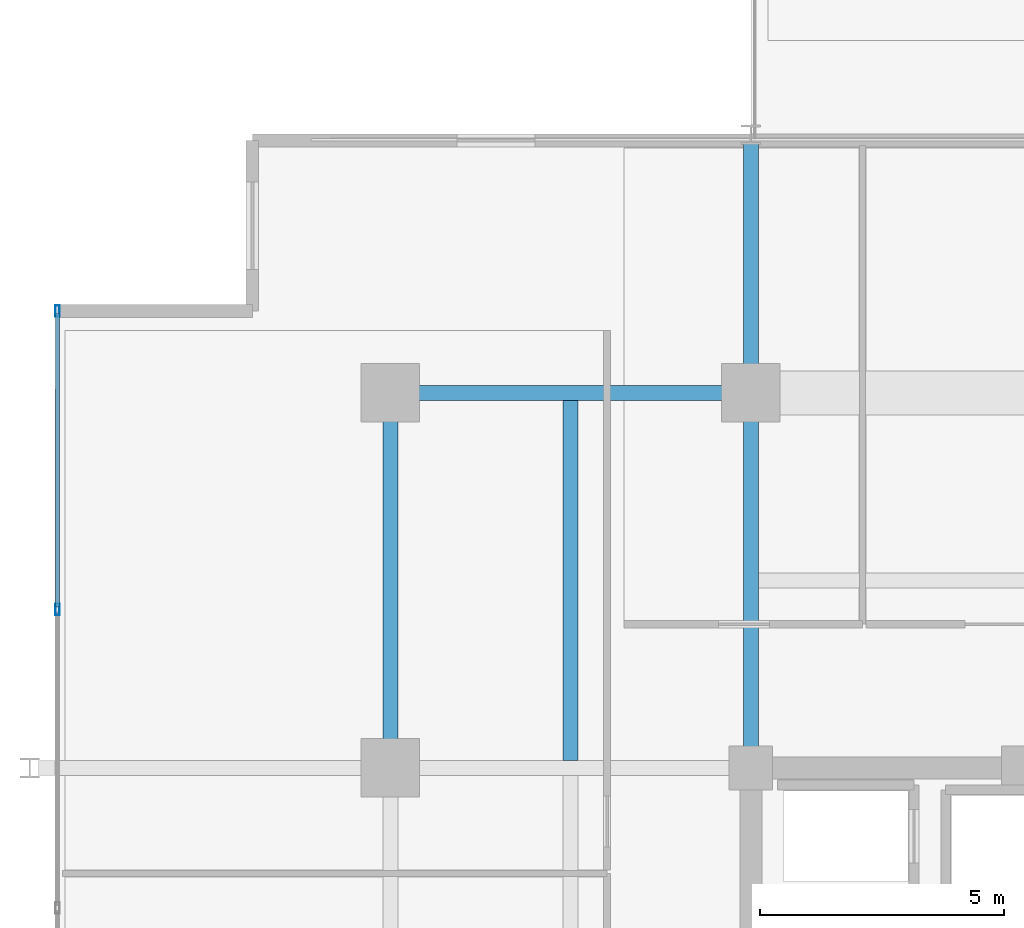
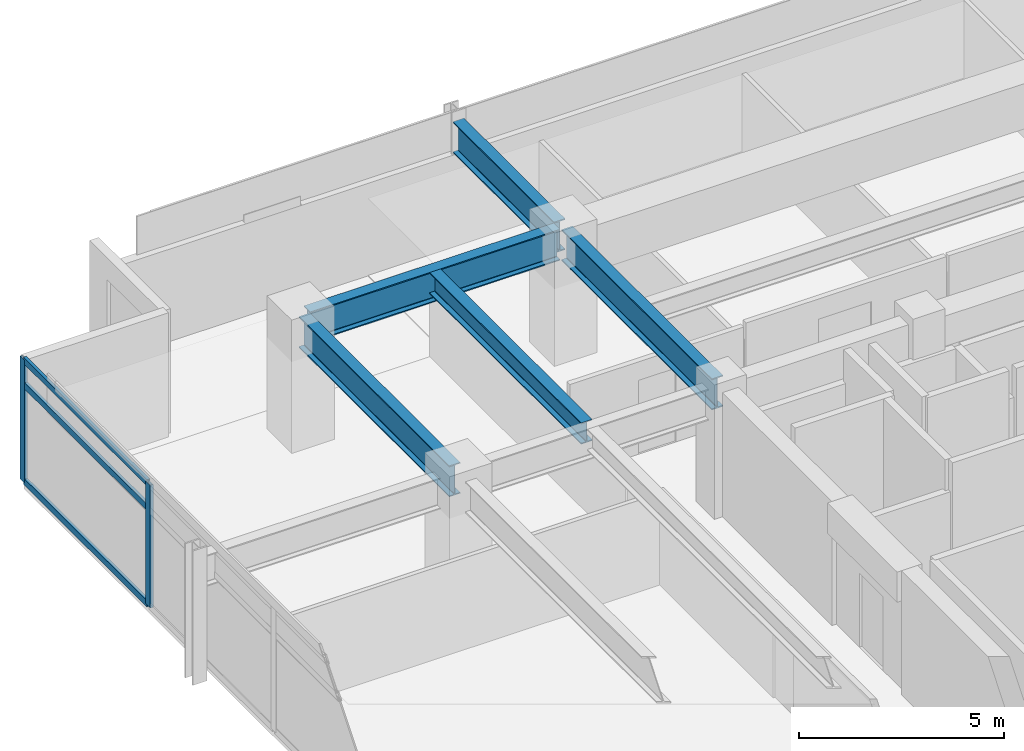
# One storey, part 11 of 20: 5 beams, 5 members, 1 element without a shape of its own.
"""IFC4 building model written with IfcOpenShell, lengths in metres."""

from ifc_helpers import new_model, si_unit, direction, frame, origin, origin_2d, place, context, subcontext, project, spatial, hollow_rectangle, i_section, extrude, material, material_profile, profile_set, type_object, element, aggregate, save


model = new_model("IFC4")

# Units and contexts
model_context = context("Model", 3, precision=1e-05, world=origin(), true_north=direction((0.0, 1.0)))
body_context = subcontext(model_context, "Body", "Model", "MODEL_VIEW")
ifc_project = project(units=[si_unit("LENGTHUNIT", "METRE"), si_unit("AREAUNIT", "SQUARE_METRE"), si_unit("VOLUMEUNIT", "CUBIC_METRE"), si_unit("PLANEANGLEUNIT", "RADIAN"), si_unit("MASSUNIT", "GRAM", prefix="KILO")], contexts=[model_context])

# Site, building, storey
site_placement = place(None, origin())
site = spatial("IfcSite", under=ifc_project, at=site_placement, CompositionType="ELEMENT")
building_placement = place(site_placement, origin())
building = spatial("IfcBuilding", under=site, at=building_placement, Name="Kovane Verandah Tower", CompositionType="ELEMENT")
storey_placement = place(building_placement, frame((0.0, 0.0, 291.199951171875)))
storey = spatial("IfcBuildingStorey", under=building, at=storey_placement, Name="L68", CompositionType="ELEMENT", Elevation=291.199951171875)

# Beams
ifc_material_1 = material(Name="Steel S460", Category="steel")
ifc_material_profile_1 = material_profile(ifc_material_1, i_section(OverallWidth=0.311279296875, OverallDepth=0.6357421875, WebThickness=0.018310546875, FlangeThickness=0.031494140625, FilletRadius=0.0166015625, at=origin_2d()), Name="UB610x305x238")
ifc_profile_set_1 = profile_set([ifc_material_profile_1], Name="Steel S460")
beam_type_1 = type_object("IfcBeamType", Name="BM-UB610x238", PredefinedType="BEAM", material=ifc_profile_set_1)
beam_1_placement = place(storey_placement, frame((25.300048828125, 36.65185546875, 3.382080078125), z_axis=(0.0, 1.0, 0.0), x_axis=(-1.0, 0.0, 0.0)))
element("IfcBeam", 1, at=beam_1_placement, inside=storey, type_object=beam_type_1, Name="L68 Secondary Composite Joist J-NW1", PredefinedType="BEAM", context=body_context, shape_type="SweptSolid", body=[
    extrude(i_section(OverallWidth=0.311279296875, OverallDepth=0.6357421875, WebThickness=0.018310546875, FlangeThickness=0.031494140625, FilletRadius=0.0166015625, at=origin_2d()), origin(), (0.0, 0.0, 1.0), 7.396240234375),
])
ifc_material_profile_2 = material_profile(ifc_material_1, i_section(OverallWidth=0.3076171875, OverallDepth=0.926513671875, WebThickness=0.01953125, FlangeThickness=0.031982421875, FilletRadius=0.01904296875, at=origin_2d()), Name="UB914x305x289")
ifc_profile_set_2 = profile_set([ifc_material_profile_2], Name="Steel S460")
beam_type_2 = type_object("IfcBeamType", Name="BM-UB914x289", PredefinedType="BEAM", material=ifc_profile_set_2)
beam_2_placement = place(storey_placement, frame((21.780029296875, 44.199951171875, 3.23681640625), z_axis=(1.0, 0.0, 0.0), x_axis=(0.0, 1.0, 0.0)))
element("IfcBeam", 2, at=beam_2_placement, inside=storey, type_object=beam_type_2, Name="L68 Primary Tower Girder G-RN1", PredefinedType="BEAM", context=body_context, shape_type="SweptSolid", body=[
    extrude(i_section(OverallWidth=0.3076171875, OverallDepth=0.926513671875, WebThickness=0.01953125, FlangeThickness=0.031982421875, FilletRadius=0.01904296875, at=origin_2d()), origin(), (0.0, 0.0, 1.0), 7.0400390625),
])
for number, where, z_axis, x_axis, name in (
    (3, (21.60009765625, 36.679931640625, 3.23681640625), (0.0, 1.0, 0.0), (-1.0, 0.0, 0.0), "L68 Primary Tower Girder G-RW3"),
    (4, (29.0, 36.679931640625, 3.23681640625), (0.0, 1.0, 0.0), (-1.0, 0.0, 0.0), "L68 Primary Tower Girder G-N1"),
):
    element("IfcBeam", number, at=place(storey_placement, frame(where, z_axis=z_axis, x_axis=x_axis)), inside=storey, type_object=beam_type_2, Name=name, PredefinedType="BEAM", context=body_context, shape_type="SweptSolid", body=[
        extrude(i_section(OverallWidth=0.3076171875, OverallDepth=0.926513671875, WebThickness=0.01953125, FlangeThickness=0.031982421875, FilletRadius=0.01904296875, at=origin_2d()), origin(), (0.0, 0.0, 1.0), 7.340087890625),
    ])
beam_3_placement = place(storey_placement, frame((29.0, 44.3798828125, 3.23681640625), z_axis=(0.0, 1.0, 0.0), x_axis=(-1.0, 0.0, 0.0)))
element("IfcBeam", 5, at=beam_3_placement, inside=storey, type_object=beam_type_2, Name="L68 Primary Tower Girder G-VN1", PredefinedType="BEAM", context=body_context, shape_type="SweptSolid", body=[
    extrude(i_section(OverallWidth=0.3076171875, OverallDepth=0.926513671875, WebThickness=0.01953125, FlangeThickness=0.031982421875, FilletRadius=0.01904296875, at=origin_2d()), origin(), (0.0, 0.0, 1.0), 4.940185546875),
])

# Curtain wall, members
ifc_material_2 = material(Name="Champagne Anodised Aluminium Frame with Low-E Clear Laminated Glass", Category="aluminium")
curtain_wall_type = type_object("IfcCurtainWallType", Name="CW-SYS-05-HIGH", PredefinedType="NOTDEFINED", material=ifc_material_2)
curtain_wall_placement = place(storey_placement, origin())
curtain_wall = element("IfcCurtainWall", 6, at=curtain_wall_placement, inside=storey, type_object=curtain_wall_type, Name="L68 W Unitised Curtain Wall", PredefinedType="NOTDEFINED")
ifc_material_3 = material(Name="Champagne Anodised Aluminium 6063-T6", Category="aluminium")
ifc_material_profile_3 = material_profile(ifc_material_3, hollow_rectangle(XDim=0.0849609375, YDim=0.22998046875, WallThickness=0.00390625, at=origin_2d()), Name="AL85x230x4")
ifc_profile_set_3 = profile_set([ifc_material_profile_3], Name="Champagne Anodised Aluminium 6063-T6")
member_type_1 = type_object("IfcMemberType", Name="CW-MUL-85x230", PredefinedType="MULLION", material=ifc_profile_set_3)
member_1_placement = place(storey_placement, frame((14.768310546875, 45.880615234375, 0.02001953125), z_axis=(0.0, 0.0, 1.0), x_axis=(-1.0, 0.0, 0.0)))
member_1 = element("IfcMember", 7, at=member_1_placement, type_object=member_type_1, Name="L68 W Unitised Curtain Wall Mullion 1", PredefinedType="MULLION", context=body_context, shape_type="SweptSolid", body=[
    extrude(hollow_rectangle(XDim=0.0849609375, YDim=0.22998046875, WallThickness=0.00390625, at=origin_2d()), origin(), (0.0, 0.0, 1.0), 3.659912109375),
])
member_2_placement = place(storey_placement, frame((14.768310546875, 39.753662109375, 0.02001953125), z_axis=(0.0, 0.0, 1.0), x_axis=(-1.0, 0.0, 0.0)))
member_2 = element("IfcMember", 8, at=member_2_placement, type_object=member_type_1, Name="L68 W Unitised Curtain Wall Mullion 2", PredefinedType="MULLION", context=body_context, shape_type="SweptSolid", body=[
    extrude(hollow_rectangle(XDim=0.0849609375, YDim=0.22998046875, WallThickness=0.00390625, at=origin_2d()), origin(), (0.0, 0.0, 1.0), 3.659912109375),
])
ifc_material_profile_4 = material_profile(ifc_material_3, hollow_rectangle(XDim=0.0849609375, YDim=0.18994140625, WallThickness=0.00390625, at=origin_2d()), Name="AL85x190x4")
ifc_profile_set_4 = profile_set([ifc_material_profile_4], Name="Champagne Anodised Aluminium 6063-T6")
member_type_2 = type_object("IfcMemberType", Name="CW-TRN-85x190", PredefinedType="USERDEFINED", material=ifc_profile_set_4)
member_3_placement = place(storey_placement, frame((14.768310546875, 45.83056640625, 0.050048828125), z_axis=(0.0, -1.0, 0.0), x_axis=(1.0, 0.0, 0.0)))
member_3 = element("IfcMember", 9, at=member_3_placement, type_object=member_type_2, Name="L68 W Unitised Curtain Wall Transom TB Bay 1", ObjectType="TRANSOM", PredefinedType="USERDEFINED", context=body_context, shape_type="SweptSolid", body=[
    extrude(hollow_rectangle(XDim=0.0849609375, YDim=0.18994140625, WallThickness=0.00390625, at=origin_2d()), origin(), (0.0, 0.0, 1.0), 6.02685546875),
])
member_4_placement = place(storey_placement, frame((14.768310546875, 45.83056640625, 2.920166015625), z_axis=(0.0, -1.0, 0.0), x_axis=(1.0, 0.0, 0.0)))
member_4 = element("IfcMember", 10, at=member_4_placement, type_object=member_type_2, Name="L68 W Unitised Curtain Wall Transom TM Bay 1", ObjectType="TRANSOM", PredefinedType="USERDEFINED", context=body_context, shape_type="SweptSolid", body=[
    extrude(hollow_rectangle(XDim=0.0849609375, YDim=0.18994140625, WallThickness=0.00390625, at=origin_2d()), origin(), (0.0, 0.0, 1.0), 6.02685546875),
])
member_5_placement = place(storey_placement, frame((14.768310546875, 45.83056640625, 3.650146484375), z_axis=(0.0, -1.0, 0.0), x_axis=(1.0, 0.0, 0.0)))
member_5 = element("IfcMember", 11, at=member_5_placement, type_object=member_type_2, Name="L68 W Unitised Curtain Wall Transom TT Bay 1", ObjectType="TRANSOM", PredefinedType="USERDEFINED", context=body_context, shape_type="SweptSolid", body=[
    extrude(hollow_rectangle(XDim=0.0849609375, YDim=0.18994140625, WallThickness=0.00390625, at=origin_2d()), origin(), (0.0, 0.0, 1.0), 6.02685546875),
])
aggregate(curtain_wall, [member_1, member_2, member_3, member_4, member_5])

save(model, "model.ifc")
